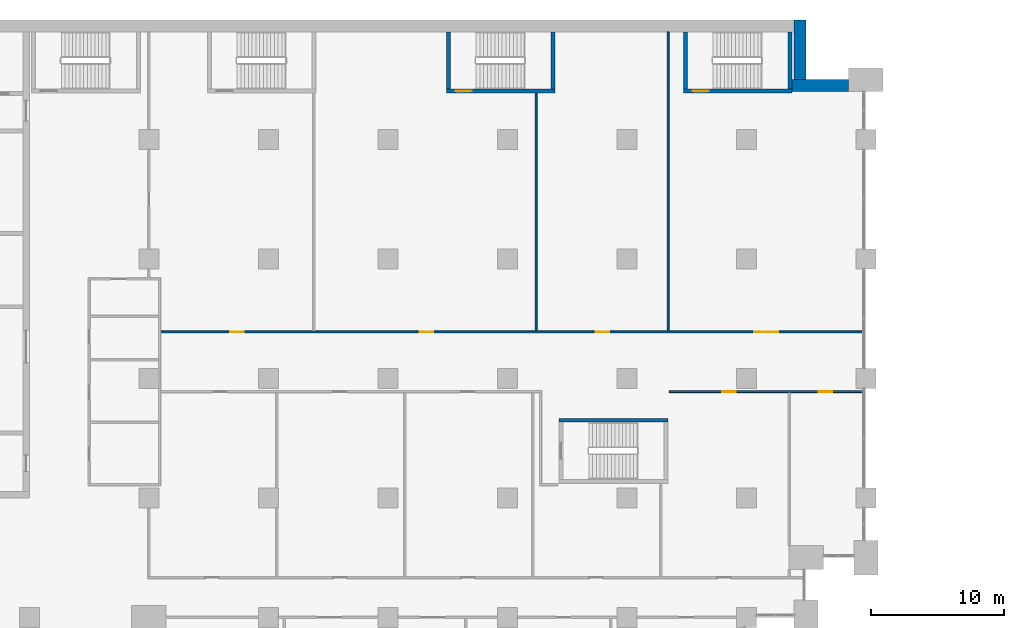
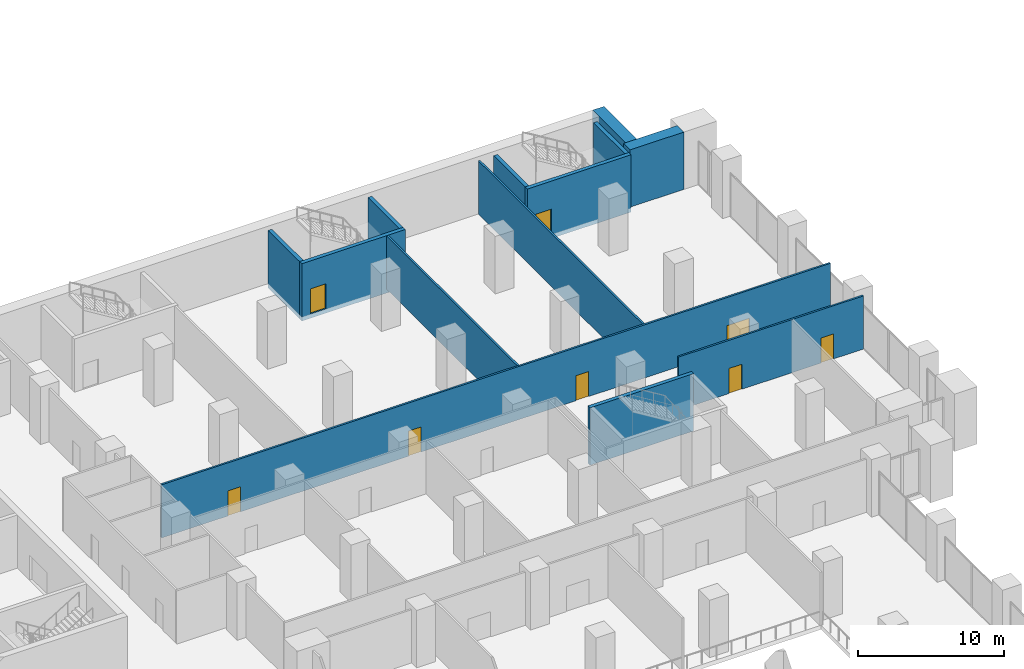
# One storey, part 29 of 49: 13 walls, 8 doors, 8 openings.
"""IFC4 building model written with IfcOpenShell, lengths in metres."""

from ifc_helpers import new_model, si_unit, direction, frame, frame_2d, origin, place, context, subcontext, project, spatial, rectangle, extrude, material, layer, layer_set, type_object, element, fill, save


model = new_model("IFC4")

# Units and contexts
model_context = context("Model", 3, precision=1e-05, world=origin(), true_north=direction((0.0, 1.0)))
body_context = subcontext(model_context, "Body", "Model", "MODEL_VIEW")
ifc_project = project(units=[si_unit("LENGTHUNIT", "METRE"), si_unit("AREAUNIT", "SQUARE_METRE"), si_unit("VOLUMEUNIT", "CUBIC_METRE"), si_unit("PLANEANGLEUNIT", "RADIAN"), si_unit("MASSUNIT", "GRAM", prefix="KILO")], contexts=[model_context])

# Site, building, storey
site_placement = place(None, origin())
site = spatial("IfcSite", under=ifc_project, at=site_placement, CompositionType="ELEMENT")
building_placement = place(site_placement, origin())
building = spatial("IfcBuilding", under=site, at=building_placement, Name="Hunhe Ridgeline Campus", CompositionType="ELEMENT")
storey_placement = place(building_placement, frame((0.0, 0.0, 21.60009765625)))
storey = spatial("IfcBuildingStorey", under=building, at=storey_placement, Name="L04", CompositionType="ELEMENT", Elevation=21.60009765625)

# Wall, openings, doors
ifc_material_1 = material(Name="Plastered blockwork", Category="masonry")
ifc_layer_1 = layer(ifc_material_1, 0.14990234375)
ifc_layer_set_1 = layer_set([ifc_layer_1], Name="Blockwork partition 150")
wall_type_1 = type_object("IfcWallType", Name="Blockwork partition 150", PredefinedType="PARTITIONING", material=ifc_layer_set_1)
wall_1_placement = place(storey_placement, frame((84.199951171875, 71.0, 0.0), z_axis=(0.0, 0.0, 1.0), x_axis=(1.0, 0.0, 0.0)))
wall_1 = element("IfcWall", 1, at=wall_1_placement, inside=storey, type_object=wall_type_1, Name="L04 partition", PredefinedType="PARTITIONING", context=body_context, shape_type="SweptSolid", body=[
    extrude(rectangle(XDim=14.6201171875, YDim=0.14990234375, at=frame_2d((7.31005859375, 0.0))), origin(), (0.0, 0.0, 1.0), 4.449951171875),
])
opening_1_placement = place(wall_1_placement, frame((4.0, 0.0, 0.0)))
opening_1 = element("IfcOpeningElement", 2, at=opening_1_placement, cuts=wall_1, Name="Opening PD530", PredefinedType="OPENING", context=body_context, shape_type="SweptSolid", body=[
    extrude(rectangle(XDim=1.0, YDim=2.10009765625, at=frame_2d((0.5, 1.050048828125))), frame((0.0, 0.074951171875, 0.0), z_axis=(0.0, -1.0, 0.0), x_axis=(1.0, 0.0, 0.0)), (0.0, 0.0, 1.0), 0.14990234375),
])
opening_2_placement = place(wall_1_placement, frame((11.263916015625, 0.0, 0.0)))
opening_2 = element("IfcOpeningElement", 3, at=opening_2_placement, cuts=wall_1, Name="Opening PD531", PredefinedType="OPENING", context=body_context, shape_type="SweptSolid", body=[
    extrude(rectangle(XDim=1.0, YDim=2.10009765625, at=frame_2d((0.5, 1.050048828125))), frame((0.0, 0.074951171875, 0.0), z_axis=(0.0, -1.0, 0.0), x_axis=(1.0, 0.0, 0.0)), (0.0, 0.0, 1.0), 0.14990234375),
])
ifc_material_2 = material(Name="Timber", Category="wood")
door_type_1 = type_object("IfcDoorType", Name="Podium timber door 1000x2100", OperationType="NOTDEFINED", PredefinedType="DOOR", material=ifc_material_2)
door_1_placement = place(opening_1_placement, origin())
door_1 = element("IfcDoor", 4, at=door_1_placement, inside=storey, type_object=door_type_1, Name="Preservation Laboratory door", OperationType="SINGLE_SWING_LEFT", OverallHeight=2.10009765625, OverallWidth=1.0, PredefinedType="DOOR", context=body_context, shape_type="SweptSolid", body=[
    extrude(rectangle(XDim=1.0, YDim=2.10009765625, at=frame_2d((0.5, 1.050048828125))), frame((0.0, 0.02490234375, 0.0), z_axis=(0.0, -1.0, 0.0), x_axis=(1.0, 0.0, 0.0)), (0.0, 0.0, 1.0), 0.050048828125),
])
fill(opening_1, door_1)
door_2_placement = place(opening_2_placement, origin())
door_2 = element("IfcDoor", 5, at=door_2_placement, inside=storey, type_object=door_type_1, Name="Photocopy Room door", OperationType="SINGLE_SWING_RIGHT", OverallHeight=2.10009765625, OverallWidth=1.0, PredefinedType="DOOR", context=body_context, shape_type="SweptSolid", body=[
    extrude(rectangle(XDim=1.0, YDim=2.10009765625, at=frame_2d((0.5, 1.050048828125))), frame((0.0, 0.02490234375, 0.0), z_axis=(0.0, -1.0, 0.0), x_axis=(1.0, 0.0, 0.0)), (0.0, 0.0, 1.0), 0.050048828125),
])
fill(opening_2, door_2)

wall_2_placement = place(storey_placement, frame((98.820068359375, 75.5, 0.0), z_axis=(0.0, 0.0, 1.0), x_axis=(-1.0, 0.0, 0.0)))
wall_2 = element("IfcWall", 6, at=wall_2_placement, inside=storey, type_object=wall_type_1, Name="L04 partition", PredefinedType="PARTITIONING", context=body_context, shape_type="SweptSolid", body=[
    extrude(rectangle(XDim=52.945068359375, YDim=0.14990234375, at=frame_2d((26.47265625, 0.0))), origin(), (0.0, 0.0, 1.0), 4.449951171875),
])
opening_3_placement = place(wall_2_placement, frame((46.695068359375, 0.0, 0.0)))
opening_3 = element("IfcOpeningElement", 7, at=opening_3_placement, cuts=wall_2, Name="Opening PD536", PredefinedType="OPENING", context=body_context, shape_type="SweptSolid", body=[
    extrude(rectangle(XDim=1.0, YDim=2.10009765625, at=frame_2d((0.5, 1.050048828125))), frame((0.0, 0.074951171875, 0.0), z_axis=(0.0, -1.0, 0.0), x_axis=(1.0, 0.0, 0.0)), (0.0, 0.0, 1.0), 0.14990234375),
])
opening_4_placement = place(wall_2_placement, frame((32.406005859375, 0.0, 0.0)))
opening_4 = element("IfcOpeningElement", 8, at=opening_4_placement, cuts=wall_2, Name="Opening PD538", PredefinedType="OPENING", context=body_context, shape_type="SweptSolid", body=[
    extrude(rectangle(XDim=1.0, YDim=2.10009765625, at=frame_2d((0.5, 1.050048828125))), frame((0.0, 0.074951171875, 0.0), z_axis=(0.0, -1.0, 0.0), x_axis=(1.0, 0.0, 0.0)), (0.0, 0.0, 1.0), 0.14990234375),
])
opening_5_placement = place(wall_2_placement, frame((19.14794921875, 0.0, 0.0)))
opening_5 = element("IfcOpeningElement", 9, at=opening_5_placement, cuts=wall_2, Name="Opening PD539", PredefinedType="OPENING", context=body_context, shape_type="SweptSolid", body=[
    extrude(rectangle(XDim=1.0, YDim=2.10009765625, at=frame_2d((0.5, 1.050048828125))), frame((0.0, 0.074951171875, 0.0), z_axis=(0.0, -1.0, 0.0), x_axis=(1.0, 0.0, 0.0)), (0.0, 0.0, 1.0), 0.14990234375),
])
opening_6_placement = place(wall_2_placement, frame((6.4169921875, 0.0, 0.0)))
opening_6 = element("IfcOpeningElement", 10, at=opening_6_placement, cuts=wall_2, Name="Opening PD540", PredefinedType="OPENING", context=body_context, shape_type="SweptSolid", body=[
    extrude(rectangle(XDim=1.800048828125, YDim=2.10009765625, at=frame_2d((0.89990234375, 1.050048828125))), frame((0.0, 0.074951171875, 0.0), z_axis=(0.0, -1.0, 0.0), x_axis=(1.0, 0.0, 0.0)), (0.0, 0.0, 1.0), 0.14990234375),
])
door_3_placement = place(opening_3_placement, origin())
door_3 = element("IfcDoor", 11, at=door_3_placement, inside=storey, type_object=door_type_1, Name="Closed Stacks door", OperationType="SINGLE_SWING_RIGHT", OverallHeight=2.10009765625, OverallWidth=1.0, PredefinedType="DOOR", context=body_context, shape_type="SweptSolid", body=[
    extrude(rectangle(XDim=1.0, YDim=2.10009765625, at=frame_2d((0.5, 1.050048828125))), frame((0.0, 0.02490234375, 0.0), z_axis=(0.0, -1.0, 0.0), x_axis=(1.0, 0.0, 0.0)), (0.0, 0.0, 1.0), 0.050048828125),
])
fill(opening_3, door_3)
door_4_placement = place(opening_4_placement, origin())
door_4 = element("IfcDoor", 12, at=door_4_placement, inside=storey, type_object=door_type_1, Name="Closed Stacks door", OperationType="SINGLE_SWING_RIGHT", OverallHeight=2.10009765625, OverallWidth=1.0, PredefinedType="DOOR", context=body_context, shape_type="SweptSolid", body=[
    extrude(rectangle(XDim=1.0, YDim=2.10009765625, at=frame_2d((0.5, 1.050048828125))), frame((0.0, 0.02490234375, 0.0), z_axis=(0.0, -1.0, 0.0), x_axis=(1.0, 0.0, 0.0)), (0.0, 0.0, 1.0), 0.050048828125),
])
fill(opening_4, door_4)
door_5_placement = place(opening_5_placement, origin())
door_5 = element("IfcDoor", 13, at=door_5_placement, inside=storey, type_object=door_type_1, Name="Closed Stacks door", OperationType="SINGLE_SWING_LEFT", OverallHeight=2.10009765625, OverallWidth=1.0, PredefinedType="DOOR", context=body_context, shape_type="SweptSolid", body=[
    extrude(rectangle(XDim=1.0, YDim=2.10009765625, at=frame_2d((0.5, 1.050048828125))), frame((0.0, 0.02490234375, 0.0), z_axis=(0.0, -1.0, 0.0), x_axis=(1.0, 0.0, 0.0)), (0.0, 0.0, 1.0), 0.050048828125),
])
fill(opening_5, door_5)
door_type_2 = type_object("IfcDoorType", Name="Podium timber double door 1800x2100", OperationType="NOTDEFINED", PredefinedType="DOOR", material=ifc_material_2)
door_6_placement = place(opening_6_placement, origin())
door_6 = element("IfcDoor", 14, at=door_6_placement, inside=storey, type_object=door_type_2, Name="Research Study Rooms door", OperationType="DOUBLE_DOOR_SINGLE_SWING", OverallHeight=2.10009765625, OverallWidth=1.800048828125, PredefinedType="DOOR", context=body_context, shape_type="SweptSolid", body=[
    extrude(rectangle(XDim=1.800048828125, YDim=2.10009765625, at=frame_2d((0.89990234375, 1.050048828125))), frame((0.0, 0.02490234375, 0.0), z_axis=(0.0, -1.0, 0.0), x_axis=(1.0, 0.0, 0.0)), (0.0, 0.0, 1.0), 0.050048828125),
])
fill(opening_6, door_6)

# Walls
wall_3_placement = place(storey_placement, frame((74.172119140625, 75.574951171875, 0.0), z_axis=(0.0, 0.0, 1.0), x_axis=(0.0, 1.0, 0.0)))
element("IfcWall", 15, at=wall_3_placement, inside=storey, type_object=wall_type_1, Name="L04 partition", PredefinedType="PARTITIONING", context=body_context, shape_type="SweptSolid", body=[
    extrude(rectangle(XDim=17.925048828125, YDim=0.14990234375, at=frame_2d((8.96240234375, 0.0))), origin(), (0.0, 0.0, 1.0), 4.449951171875),
])
wall_4_placement = place(storey_placement, frame((84.10302734375, 75.574951171875, 0.0), z_axis=(0.0, 0.0, 1.0), x_axis=(0.0, 1.0, 0.0)))
element("IfcWall", 16, at=wall_4_placement, inside=storey, type_object=wall_type_1, Name="L04 partition", PredefinedType="PARTITIONING", context=body_context, shape_type="SweptSolid", body=[
    extrude(rectangle(XDim=22.525146484375, YDim=0.14990234375, at=frame_2d((11.2626953125, 0.0))), origin(), (0.0, 0.0, 1.0), 4.449951171875),
])
ifc_material_3 = material(Name="Concrete C80", Category="concrete")
ifc_layer_2 = layer(ifc_material_3, 0.89990234375)
ifc_layer_set_2 = layer_set([ifc_layer_2], Name="Spine wall 900 Concrete C80")
wall_type_2 = type_object("IfcWallType", Name="Spine wall 900 Concrete C80", PredefinedType="SHEAR", material=ifc_layer_set_2)
wall_5_placement = place(storey_placement, frame((97.699951171875, 94.050048828125, 0.0), z_axis=(0.0, 0.0, 1.0), x_axis=(-1.0, 0.0, 0.0)))
element("IfcWall", 17, at=wall_5_placement, inside=storey, type_object=wall_type_2, Name="Spine wall SW1-2 L04", PredefinedType="SHEAR", context=body_context, shape_type="SweptSolid", body=[
    extrude(rectangle(XDim=4.25048828125, YDim=0.89990234375, at=frame_2d((2.125244140625, 0.0))), origin(), (0.0, 0.0, 1.0), 4.7998046875),
])
wall_6_placement = place(storey_placement, frame((94.050048828125, 93.60009765625, 0.0), z_axis=(0.0, 0.0, 1.0), x_axis=(0.0, 1.0, 0.0)))
element("IfcWall", 18, at=wall_6_placement, inside=storey, type_object=wall_type_2, Name="Spine wall SW1-3 L04", PredefinedType="SHEAR", context=body_context, shape_type="SweptSolid", body=[
    extrude(rectangle(XDim=5.39990234375, YDim=0.89990234375, at=frame_2d((2.699951171875, 0.0))), origin(), (0.0, 0.0, 1.0), 4.7998046875),
])
ifc_layer_3 = layer(ifc_material_3, 0.300048828125)
ifc_layer_set_3 = layer_set([ifc_layer_3], Name="Stair wall 300 reinforced concrete C80")
wall_type_3 = type_object("IfcWallType", Name="Stair wall 300 reinforced concrete C80", PredefinedType="SOLIDWALL", material=ifc_layer_set_3)
wall_7_placement = place(storey_placement, frame((75.89990234375, 68.85009765625, -0.35009765625), z_axis=(0.0, 0.0, 1.0), x_axis=(1.0, 0.0, 0.0)))
element("IfcWall", 19, at=wall_7_placement, inside=storey, type_object=wall_type_3, Name="L04 core wall 11", PredefinedType="SOLIDWALL", context=body_context, shape_type="SweptSolid", body=[
    extrude(rectangle(XDim=8.2001953125, YDim=0.300048828125, at=frame_2d((4.10009765625, 0.0))), origin(), (0.0, 0.0, 1.0), 4.800048828125),
])

# Wall, opening, door
wall_8_placement = place(storey_placement, frame((67.39990234375, 93.64990234375, -0.35009765625), z_axis=(0.0, 0.0, 1.0), x_axis=(1.0, 0.0, 0.0)))
wall_8 = element("IfcWall", 20, at=wall_8_placement, inside=storey, type_object=wall_type_3, Name="L04 core wall 32", PredefinedType="SOLIDWALL", context=body_context, shape_type="SweptSolid", body=[
    extrude(rectangle(XDim=8.2001953125, YDim=0.300048828125, at=frame_2d((4.10009765625, 0.0))), origin(), (0.0, 0.0, 1.0), 4.800048828125),
])
opening_7_placement = place(wall_8_placement, frame((0.699951171875, 0.0, 0.35009765625)))
opening_7 = element("IfcOpeningElement", 21, at=opening_7_placement, cuts=wall_8, Name="Opening CD19", PredefinedType="OPENING", context=body_context, shape_type="SweptSolid", body=[
    extrude(rectangle(XDim=1.199951171875, YDim=2.10009765625, at=frame_2d((0.60009765625, 1.050048828125))), frame((0.0, 0.14990234375, 0.0), z_axis=(0.0, -1.0, 0.0), x_axis=(1.0, 0.0, 0.0)), (0.0, 0.0, 1.0), 0.300048828125),
])
ifc_material_4 = material(Name="Hollow metal fire door leaf")
door_type_3 = type_object("IfcDoorType", Name="Stair door 1200x2100 FD60", OperationType="SINGLE_SWING_LEFT", PredefinedType="DOOR", material=ifc_material_4)
door_7_placement = place(opening_7_placement, frame((1.199951171875, 0.0, 0.0), z_axis=(0.0, 0.0, 1.0), x_axis=(-1.0, 0.0, 0.0)))
door_7 = element("IfcDoor", 22, at=door_7_placement, inside=storey, type_object=door_type_3, Name="L04 door E3", OperationType="SINGLE_SWING_RIGHT", OverallHeight=2.10009765625, OverallWidth=1.199951171875, PredefinedType="DOOR", context=body_context, shape_type="SweptSolid", body=[
    extrude(rectangle(XDim=1.199951171875, YDim=2.10009765625, at=frame_2d((0.60009765625, 1.050048828125))), frame((0.0, 0.02490234375, 0.0), z_axis=(0.0, -1.0, 0.0), x_axis=(1.0, 0.0, 0.0)), (0.0, 0.0, 1.0), 0.050048828125),
])
fill(opening_7, door_7)

wall_9_placement = place(storey_placement, frame((85.25, 93.64990234375, -0.35009765625), z_axis=(0.0, 0.0, 1.0), x_axis=(1.0, 0.0, 0.0)))
wall_9 = element("IfcWall", 23, at=wall_9_placement, inside=storey, type_object=wall_type_3, Name="L04 core wall 33", PredefinedType="SOLIDWALL", context=body_context, shape_type="SweptSolid", body=[
    extrude(rectangle(XDim=8.199951171875, YDim=0.300048828125, at=frame_2d((4.10009765625, 0.0))), origin(), (0.0, 0.0, 1.0), 4.800048828125),
])
opening_8_placement = place(wall_9_placement, frame((0.699951171875, 0.0, 0.35009765625)))
opening_8 = element("IfcOpeningElement", 24, at=opening_8_placement, cuts=wall_9, Name="Opening CD20", PredefinedType="OPENING", context=body_context, shape_type="SweptSolid", body=[
    extrude(rectangle(XDim=1.199951171875, YDim=2.10009765625, at=frame_2d((0.60009765625, 1.050048828125))), frame((0.0, 0.14990234375, 0.0), z_axis=(0.0, -1.0, 0.0), x_axis=(1.0, 0.0, 0.0)), (0.0, 0.0, 1.0), 0.300048828125),
])
door_8_placement = place(opening_8_placement, frame((1.199951171875, 0.0, 0.0), z_axis=(0.0, 0.0, 1.0), x_axis=(-1.0, 0.0, 0.0)))
door_8 = element("IfcDoor", 25, at=door_8_placement, inside=storey, type_object=door_type_3, Name="L04 door E4", OperationType="SINGLE_SWING_LEFT", OverallHeight=2.10009765625, OverallWidth=1.199951171875, PredefinedType="DOOR", context=body_context, shape_type="SweptSolid", body=[
    extrude(rectangle(XDim=1.199951171875, YDim=2.10009765625, at=frame_2d((0.60009765625, 1.050048828125))), frame((0.0, 0.02490234375, 0.0), z_axis=(0.0, -1.0, 0.0), x_axis=(1.0, 0.0, 0.0)), (0.0, 0.0, 1.0), 0.050048828125),
])
fill(opening_8, door_8)

# Walls
for number, where, z_axis, x_axis, name in (
    (26, (67.550048828125, 93.800048828125, -0.35009765625), (0.0, 0.0, 1.0), (0.0, 1.0, 0.0), "L04 core wall 69"),
    (27, (75.449951171875, 93.800048828125, -0.35009765625), (0.0, 0.0, 1.0), (0.0, 1.0, 0.0), "L04 core wall 70"),
    (28, (85.39990234375, 93.800048828125, -0.35009765625), (0.0, 0.0, 1.0), (0.0, 1.0, 0.0), "L04 core wall 73"),
    (29, (93.300048828125, 93.800048828125, -0.35009765625), (0.0, 0.0, 1.0), (0.0, 1.0, 0.0), "L04 core wall 74"),
):
    element("IfcWall", number, at=place(storey_placement, frame(where, z_axis=z_axis, x_axis=x_axis)), inside=storey, type_object=wall_type_3, Name=name, PredefinedType="SOLIDWALL", context=body_context, shape_type="SweptSolid", body=[
        extrude(rectangle(XDim=4.300048828125, YDim=0.300048828125, at=frame_2d((2.14990234375, 0.0))), origin(), (0.0, 0.0, 1.0), 4.800048828125),
    ])

save(model, "model.ifc")
